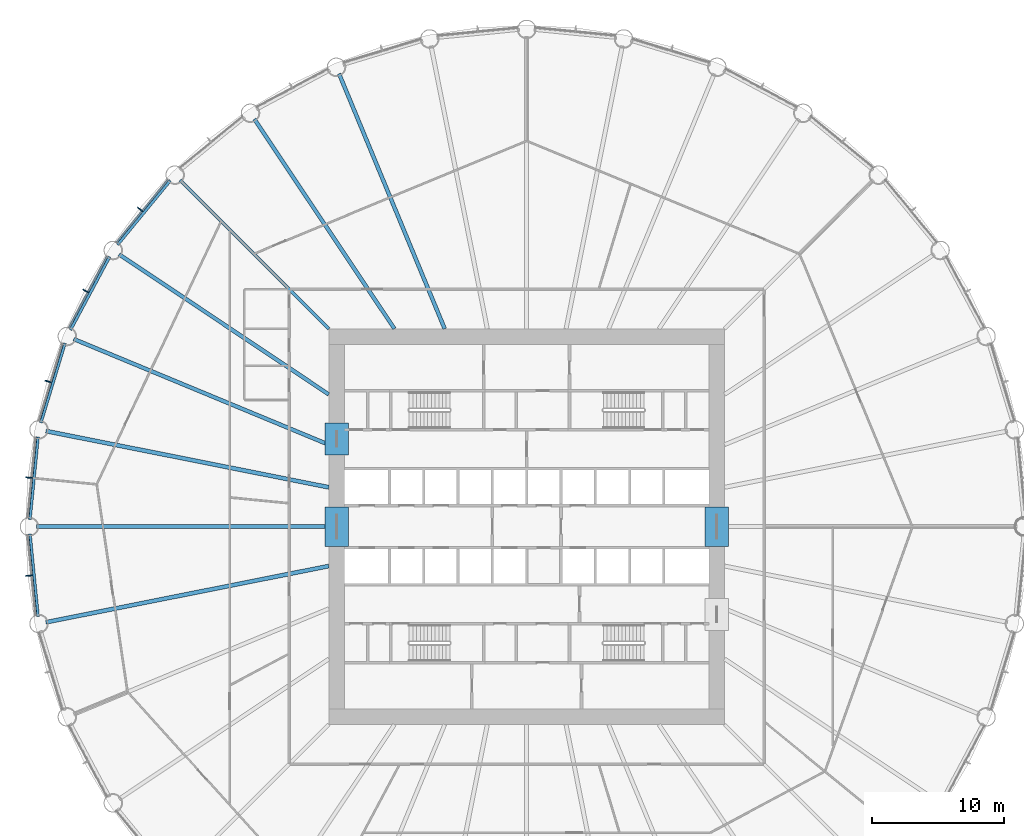
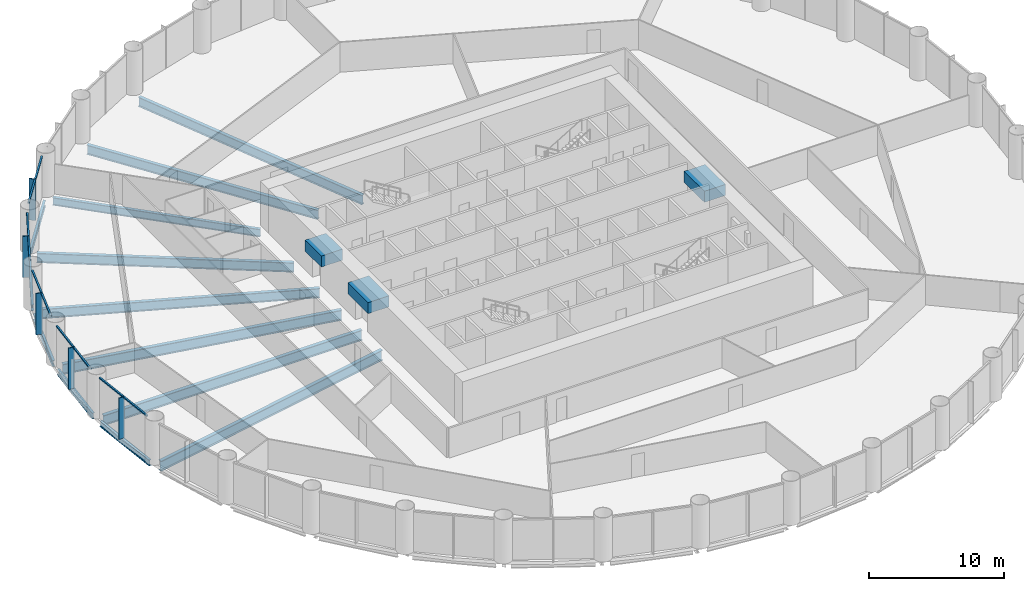
# One storey, part 4 of 15: 16 beams, 15 members, 5 elements without a shape of their own.
"""IFC4 building model written with IfcOpenShell, lengths in metres."""

from ifc_helpers import new_model, si_unit, direction, frame, origin, origin_2d, place, context, subcontext, project, spatial, rectangle, i_section, extrude, material, material_profile, profile_set, type_object, element, aggregate, save


model = new_model("IFC4")

# Units and contexts
model_context = context("Model", 3, precision=1e-05, world=origin(), true_north=direction((0.0, 1.0)))
body_context = subcontext(model_context, "Body", "Model", "MODEL_VIEW")
ifc_project = project(units=[si_unit("LENGTHUNIT", "METRE"), si_unit("AREAUNIT", "SQUARE_METRE"), si_unit("VOLUMEUNIT", "CUBIC_METRE"), si_unit("PLANEANGLEUNIT", "RADIAN"), si_unit("MASSUNIT", "GRAM", prefix="KILO")], contexts=[model_context])

# Site, building, storey
site_placement = place(None, origin())
site = spatial("IfcSite", under=ifc_project, at=site_placement, CompositionType="ELEMENT")
building_placement = place(site_placement, origin())
building = spatial("IfcBuilding", under=site, at=building_placement, Name="Corvane Civic Tower", CompositionType="ELEMENT")
storey_placement = place(building_placement, frame((0.0, 0.0, 61.0)))
storey = spatial("IfcBuildingStorey", under=building, at=storey_placement, Name="L13", CompositionType="ELEMENT", Elevation=61.0)

# Beams
ifc_material_1 = material(Name="Concrete C80/95", Category="concrete")
ifc_material_profile_1 = material_profile(ifc_material_1, rectangle(XDim=1.800048828125, YDim=1.0, at=origin_2d()), Name="COUPLING BEAM 1800X1000")
ifc_profile_set_1 = profile_set([ifc_material_profile_1], Name="Concrete C80/95")
beam_type_1 = type_object("IfcBeamType", Name="COUPLING BEAM COUPLING BEAM 1800X1000", PredefinedType="BEAM", material=ifc_profile_set_1)
for number, where, z_axis, x_axis, name in (
    (1, (-14.39990234375, -1.5, 2.60009765625), (0.0, 1.0, 0.0), (-1.0, 0.0, 0.0), "BM-L13-cpl-CW-LW"),
    (2, (14.39990234375, -1.5, 2.60009765625), (0.0, 1.0, 0.0), (-1.0, 0.0, 0.0), "BM-L13-cpl-CW-LE"),
):
    element("IfcBeam", number, at=place(storey_placement, frame(where, z_axis=z_axis, x_axis=x_axis)), inside=storey, type_object=beam_type_1, Name=name, PredefinedType="BEAM", context=body_context, shape_type="SweptSolid", body=[
        extrude(rectangle(XDim=1.800048828125, YDim=1.0, at=origin_2d()), origin(), (0.0, 0.0, 1.0), 3.0),
    ])
beam_1_placement = place(storey_placement, frame((-14.39990234375, 5.449951171875, 2.60009765625), z_axis=(0.0, 1.0, 0.0), x_axis=(-1.0, 0.0, 0.0)))
element("IfcBeam", 3, at=beam_1_placement, inside=storey, type_object=beam_type_1, Name="BM-L13-cpl-CW-WN", PredefinedType="BEAM", context=body_context, shape_type="SweptSolid", body=[
    extrude(rectangle(XDim=1.800048828125, YDim=1.0, at=origin_2d()), origin(), (0.0, 0.0, 1.0), 2.400146484375),
])
ifc_material_2 = material(Name="Steel ASTM A992 Gr 50", Category="steel")
ifc_material_profile_2 = material_profile(ifc_material_2, i_section(OverallWidth=0.209228515625, OverallDepth=0.533447265625, WebThickness=0.01025390625, FlangeThickness=0.015625, at=origin_2d()), Name="W21X62")
ifc_profile_set_2 = profile_set([ifc_material_profile_2], Name="Steel ASTM A992 Gr 50")
beam_type_2 = type_object("IfcBeamType", Name="EDGE BEAM W21X62", PredefinedType="BEAM", material=ifc_profile_set_2)
for number, where, z_axis, x_axis, name in (
    (4, (-37.029541015625, -6.8076171875, -0.566650390625), (-0.097997284622, 0.995186682089, 0.0), (-0.995186682089, -0.097997284622, 0.0), "BM-L13-E24"),
    (5, (-37.64599609375, 0.54736328125, -0.566650390625), (0.097997284622, 0.995186682089, 0.0), (-0.995186682089, 0.097997284622, 0.0), "BM-L13-E25"),
):
    element("IfcBeam", number, at=place(storey_placement, frame(where, z_axis=z_axis, x_axis=x_axis)), inside=storey, type_object=beam_type_2, Name=name, PredefinedType="BEAM", context=body_context, shape_type="SweptSolid", body=[
        extrude(i_section(OverallWidth=0.209228515625, OverallDepth=0.533447265625, WebThickness=0.01025390625, FlangeThickness=0.015625, at=origin_2d()), origin(), (0.0, 0.0, 1.0), 6.29052734375),
    ])
for number, where, z_axis, x_axis, name in (
    (6, (-36.81591796875, 7.88134765625, -0.566650390625), (0.290273452184, 0.956943740748, 0.0), (-0.956943740748, 0.290273452184, 0.0), "BM-L13-E26"),
    (7, (-34.571044921875, 14.912353515625, -0.566650390625), (0.471405897311, 0.881916367906, 0.0), (-0.881916367906, 0.471405897311, 0.0), "BM-L13-E27"),
):
    element("IfcBeam", number, at=place(storey_placement, frame(where, z_axis=z_axis, x_axis=x_axis)), inside=storey, type_object=beam_type_2, Name=name, PredefinedType="BEAM", context=body_context, shape_type="SweptSolid", body=[
        extrude(i_section(OverallWidth=0.209228515625, OverallDepth=0.533447265625, WebThickness=0.01025390625, FlangeThickness=0.015625, at=origin_2d()), origin(), (0.0, 0.0, 1.0), 6.290283203125),
    ])
beam_2_placement = place(storey_placement, frame((-30.99755859375, 21.3701171875, -0.566650390625), z_axis=(0.634386787141, 0.773015785286, 0.0), x_axis=(-0.773015785286, 0.634386787141, 0.0)))
element("IfcBeam", 8, at=beam_2_placement, inside=storey, type_object=beam_type_2, Name="BM-L13-E28", PredefinedType="BEAM", context=body_context, shape_type="SweptSolid", body=[
    extrude(i_section(OverallWidth=0.209228515625, OverallDepth=0.533447265625, WebThickness=0.01025390625, FlangeThickness=0.015625, at=origin_2d()), origin(), (0.0, 0.0, 1.0), 6.290771484375),
])
ifc_material_3 = material(Name="Steel ASTM A992 Gr 50", Category="steel")
ifc_material_profile_3 = material_profile(ifc_material_3, i_section(OverallWidth=0.256591796875, OverallDepth=0.693359375, WebThickness=0.014404296875, FlangeThickness=0.023681640625, at=origin_2d()), Name="W27X114")
ifc_profile_set_3 = profile_set([ifc_material_profile_3], Name="Steel ASTM A992 Gr 50")
beam_type_3 = type_object("IfcBeamType", Name="FLOOR GIRDER W27X114", PredefinedType="BEAM", material=ifc_profile_set_3)
beam_3_placement = place(storey_placement, frame((-15.0, 15.0, -0.646728515625), z_axis=(-0.707106781187, 0.707106781187, 0.0), x_axis=(-0.707106781187, -0.707106781187, 0.0)))
element("IfcBeam", 9, at=beam_3_placement, inside=storey, type_object=beam_type_3, Name="BM-L13-G29", PredefinedType="BEAM", context=body_context, shape_type="SweptSolid", body=[
    extrude(i_section(OverallWidth=0.256591796875, OverallDepth=0.693359375, WebThickness=0.014404296875, FlangeThickness=0.023681640625, at=origin_2d()), origin(), (0.0, 0.0, 1.0), 15.936767578125),
])
ifc_material_4 = material(Name="Steel ASTM A992 Gr 50", Category="steel")
ifc_material_profile_4 = material_profile(ifc_material_4, i_section(OverallWidth=0.2919921875, OverallDepth=0.8583984375, WebThickness=0.01708984375, FlangeThickness=0.031005859375, at=origin_2d()), Name="W33X169")
ifc_profile_set_4 = profile_set([ifc_material_profile_4], Name="Steel ASTM A992 Gr 50")
beam_type_4 = type_object("IfcBeamType", Name="FLOOR GIRDER W33X169", PredefinedType="BEAM", material=ifc_profile_set_4)
beam_4_placement = place(storey_placement, frame((-15.0, 6.213134765625, -0.729248046875), z_axis=(-0.923875834355, 0.382692360381, 0.0), x_axis=(-0.382692360381, -0.923875834355, 0.0)))
element("IfcBeam", 10, at=beam_4_placement, inside=storey, type_object=beam_type_4, Name="BM-L13-G27", PredefinedType="BEAM", context=body_context, shape_type="SweptSolid", body=[
    extrude(i_section(OverallWidth=0.2919921875, OverallDepth=0.8583984375, WebThickness=0.01708984375, FlangeThickness=0.031005859375, at=origin_2d()), origin(), (0.0, 0.0, 1.0), 20.9140625),
])
for number, where, z_axis, x_axis, name in (
    (11, (-15.0, 10.022705078125, -0.729248046875), (-0.831471985418, 0.555566681385, 0.0), (-0.555566681385, -0.831471985418, 0.0), "BM-L13-G28"),
    (12, (-10.022705078125, 15.0, -0.729248046875), (-0.555566681385, 0.831471985418, 0.0), (-0.831471985418, -0.555566681385, 0.0), "BM-L13-G30"),
):
    element("IfcBeam", number, at=place(storey_placement, frame(where, z_axis=z_axis, x_axis=x_axis)), inside=storey, type_object=beam_type_4, Name=name, PredefinedType="BEAM", context=body_context, shape_type="SweptSolid", body=[
        extrude(i_section(OverallWidth=0.2919921875, OverallDepth=0.8583984375, WebThickness=0.01708984375, FlangeThickness=0.031005859375, at=origin_2d()), origin(), (0.0, 0.0, 1.0), 19.109619140625),
    ])
beam_5_placement = place(storey_placement, frame((-6.213134765625, 15.0, -0.729248046875), z_axis=(-0.382692360381, 0.923875834355, 0.0), x_axis=(-0.923875834355, -0.382692360381, 0.0)))
element("IfcBeam", 13, at=beam_5_placement, inside=storey, type_object=beam_type_4, Name="BM-L13-G31", PredefinedType="BEAM", context=body_context, shape_type="SweptSolid", body=[
    extrude(i_section(OverallWidth=0.2919921875, OverallDepth=0.8583984375, WebThickness=0.01708984375, FlangeThickness=0.031005859375, at=origin_2d()), origin(), (0.0, 0.0, 1.0), 20.9140625),
])
ifc_material_5 = material(Name="Steel ASTM A992 Gr 50", Category="steel")
ifc_material_profile_5 = material_profile(ifc_material_5, i_section(OverallWidth=0.307373046875, OverallDepth=0.927001953125, WebThickness=0.01953125, FlangeThickness=0.031982421875, at=origin_2d()), Name="W36X194")
ifc_profile_set_5 = profile_set([ifc_material_profile_5], Name="Steel ASTM A992 Gr 50")
beam_type_5 = type_object("IfcBeamType", Name="FLOOR GIRDER W36X194", PredefinedType="BEAM", material=ifc_profile_set_5)
beam_6_placement = place(storey_placement, frame((-15.0, -2.983642578125, -0.763671875), z_axis=(-0.980785499679, -0.195089219638, 0.0), x_axis=(0.195089219638, -0.980785499679, 0.0)))
element("IfcBeam", 14, at=beam_6_placement, inside=storey, type_object=beam_type_5, Name="BM-L13-G24", PredefinedType="BEAM", context=body_context, shape_type="SweptSolid", body=[
    extrude(i_section(OverallWidth=0.307373046875, OverallDepth=0.927001953125, WebThickness=0.01953125, FlangeThickness=0.031982421875, at=origin_2d()), origin(), (0.0, 0.0, 1.0), 21.856201171875),
])
beam_7_placement = place(storey_placement, frame((-15.0, 0.0, -0.763671875), z_axis=(-1.0, 0.0, 0.0), x_axis=(0.0, -1.0, 0.0)))
element("IfcBeam", 15, at=beam_7_placement, inside=storey, type_object=beam_type_5, Name="BM-L13-G25", PredefinedType="BEAM", context=body_context, shape_type="SweptSolid", body=[
    extrude(i_section(OverallWidth=0.307373046875, OverallDepth=0.927001953125, WebThickness=0.01953125, FlangeThickness=0.031982421875, at=origin_2d()), origin(), (0.0, 0.0, 1.0), 22.14990234375),
])
beam_8_placement = place(storey_placement, frame((-15.0, 2.983642578125, -0.763671875), z_axis=(-0.980785499679, 0.195089219638, 0.0), x_axis=(-0.195089219638, -0.980785499679, 0.0)))
element("IfcBeam", 16, at=beam_8_placement, inside=storey, type_object=beam_type_5, Name="BM-L13-G26", PredefinedType="BEAM", context=body_context, shape_type="SweptSolid", body=[
    extrude(i_section(OverallWidth=0.307373046875, OverallDepth=0.927001953125, WebThickness=0.01953125, FlangeThickness=0.031982421875, at=origin_2d()), origin(), (0.0, 0.0, 1.0), 21.856201171875),
])

# Curtain wall, members
ifc_material_6 = material(Name="Anodised aluminium bronze", Category="aluminium")
curtain_wall_type = type_object("IfcCurtainWallType", Name="TOWER CW-T1 STICK CURTAIN WALL", PredefinedType="NOTDEFINED", material=ifc_material_6)
curtain_wall_1_placement = place(storey_placement, origin())
curtain_wall_1 = element("IfcCurtainWall", 17, at=curtain_wall_1_placement, inside=storey, type_object=curtain_wall_type, Name="Curtain wall CW-T1 L13 bay 24", PredefinedType="NOTDEFINED")
ifc_material_7 = material(Name="Anodised aluminium bronze", Category="aluminium")
ifc_material_profile_6 = material_profile(ifc_material_7, rectangle(XDim=0.139892578125, YDim=0.1201171875, at=origin_2d()), Name="TOWER CW-T1 TRANSOM 140x120")
ifc_profile_set_6 = profile_set([ifc_material_profile_6], Name="Anodised aluminium bronze")
member_type_1 = type_object("IfcMemberType", Name="TOWER CW-T1 TRANSOM 140x120", PredefinedType="USERDEFINED", material=ifc_profile_set_6)
member_1_placement = place(storey_placement, frame((-37.21728515625, -6.72900390625, 3.68994140625), z_axis=(-0.097944923917, 0.995191836722, 0.0), x_axis=(-0.995191836722, -0.097944923917, 0.0)))
member_1 = element("IfcMember", 18, at=member_1_placement, type_object=member_type_1, Name="Transom CW-T1 L13 24.1", ObjectType="TRANSOM", PredefinedType="USERDEFINED", context=body_context, shape_type="SweptSolid", body=[
    extrude(rectangle(XDim=0.139892578125, YDim=0.1201171875, at=origin_2d()), origin(), (0.0, 0.0, 1.0), 3.008544921875),
])
member_2_placement = place(storey_placement, frame((-37.52001953125, -3.6552734375, 3.68994140625), z_axis=(-0.097944923917, 0.995191836722, 0.0), x_axis=(-0.995191836722, -0.097944923917, 0.0)))
member_2 = element("IfcMember", 19, at=member_2_placement, type_object=member_type_1, Name="Transom CW-T1 L13 24.2", ObjectType="TRANSOM", PredefinedType="USERDEFINED", context=body_context, shape_type="SweptSolid", body=[
    extrude(rectangle(XDim=0.139892578125, YDim=0.1201171875, at=origin_2d()), origin(), (0.0, 0.0, 1.0), 3.008544921875),
])

curtain_wall_2_placement = place(storey_placement, origin())
curtain_wall_2 = element("IfcCurtainWall", 20, at=curtain_wall_2_placement, inside=storey, type_object=curtain_wall_type, Name="Curtain wall CW-T1 L13 bay 25", PredefinedType="NOTDEFINED")
member_3_placement = place(storey_placement, frame((-37.814697265625, 0.6611328125, 3.68994140625), z_axis=(0.097944923917, 0.995191836722, 0.0), x_axis=(-0.995191836722, 0.097944923917, 0.0)))
member_3 = element("IfcMember", 21, at=member_3_placement, type_object=member_type_1, Name="Transom CW-T1 L13 25.1", ObjectType="TRANSOM", PredefinedType="USERDEFINED", context=body_context, shape_type="SweptSolid", body=[
    extrude(rectangle(XDim=0.139892578125, YDim=0.1201171875, at=origin_2d()), origin(), (0.0, 0.0, 1.0), 3.008544921875),
])
member_4_placement = place(storey_placement, frame((-37.511962890625, 3.73486328125, 3.68994140625), z_axis=(0.097944923917, 0.995191836722, 0.0), x_axis=(-0.995191836722, 0.097944923917, 0.0)))
member_4 = element("IfcMember", 22, at=member_4_placement, type_object=member_type_1, Name="Transom CW-T1 L13 25.2", ObjectType="TRANSOM", PredefinedType="USERDEFINED", context=body_context, shape_type="SweptSolid", body=[
    extrude(rectangle(XDim=0.139892578125, YDim=0.1201171875, at=origin_2d()), origin(), (0.0, 0.0, 1.0), 3.008544921875),
])

curtain_wall_3_placement = place(storey_placement, origin())
curtain_wall_3 = element("IfcCurtainWall", 23, at=curtain_wall_3_placement, inside=storey, type_object=curtain_wall_type, Name="Curtain wall CW-T1 L13 bay 26", PredefinedType="NOTDEFINED")
member_5_placement = place(storey_placement, frame((-36.959228515625, 8.02587890625, 3.68994140625), z_axis=(0.290279914268, 0.956941780555, 0.0), x_axis=(-0.956941780555, 0.290279914268, 0.0)))
member_5 = element("IfcMember", 24, at=member_5_placement, type_object=member_type_1, Name="Transom CW-T1 L13 26.1", ObjectType="TRANSOM", PredefinedType="USERDEFINED", context=body_context, shape_type="SweptSolid", body=[
    extrude(rectangle(XDim=0.139892578125, YDim=0.1201171875, at=origin_2d()), origin(), (0.0, 0.0, 1.0), 3.008544921875),
])
member_6_placement = place(storey_placement, frame((-36.062744140625, 10.9814453125, 3.68994140625), z_axis=(0.290279914268, 0.956941780555, 0.0), x_axis=(-0.956941780555, 0.290279914268, 0.0)))
member_6 = element("IfcMember", 25, at=member_6_placement, type_object=member_type_1, Name="Transom CW-T1 L13 26.2", ObjectType="TRANSOM", PredefinedType="USERDEFINED", context=body_context, shape_type="SweptSolid", body=[
    extrude(rectangle(XDim=0.139892578125, YDim=0.1201171875, at=origin_2d()), origin(), (0.0, 0.0, 1.0), 3.008544921875),
])

curtain_wall_4_placement = place(storey_placement, origin())
curtain_wall_4 = element("IfcCurtainWall", 26, at=curtain_wall_4_placement, inside=storey, type_object=curtain_wall_type, Name="Curtain wall CW-T1 L13 bay 27", PredefinedType="NOTDEFINED")
member_7_placement = place(storey_placement, frame((-34.683349609375, 15.08203125, 3.68994140625), z_axis=(0.471392506424, 0.881923525532, 0.0), x_axis=(-0.881923525532, 0.471392506424, 0.0)))
member_7 = element("IfcMember", 27, at=member_7_placement, type_object=member_type_1, Name="Transom CW-T1 L13 27.1", ObjectType="TRANSOM", PredefinedType="USERDEFINED", context=body_context, shape_type="SweptSolid", body=[
    extrude(rectangle(XDim=0.139892578125, YDim=0.1201171875, at=origin_2d()), origin(), (0.0, 0.0, 1.0), 3.008544921875),
])
member_8_placement = place(storey_placement, frame((-33.2275390625, 17.805908203125, 3.68994140625), z_axis=(0.471392506424, 0.881923525532, 0.0), x_axis=(-0.881923525532, 0.471392506424, 0.0)))
member_8 = element("IfcMember", 28, at=member_8_placement, type_object=member_type_1, Name="Transom CW-T1 L13 27.2", ObjectType="TRANSOM", PredefinedType="USERDEFINED", context=body_context, shape_type="SweptSolid", body=[
    extrude(rectangle(XDim=0.139892578125, YDim=0.1201171875, at=origin_2d()), origin(), (0.0, 0.0, 1.0), 3.008544921875),
])

curtain_wall_5_placement = place(storey_placement, origin())
curtain_wall_5 = element("IfcCurtainWall", 29, at=curtain_wall_5_placement, inside=storey, type_object=curtain_wall_type, Name="Curtain wall CW-T1 L13 bay 28", PredefinedType="NOTDEFINED")
member_9_placement = place(storey_placement, frame((-31.074462890625, 21.55859375, 3.68994140625), z_axis=(0.634355161466, 0.773041738279, 0.0), x_axis=(-0.773041738279, 0.634355161466, 0.0)))
member_9 = element("IfcMember", 30, at=member_9_placement, type_object=member_type_1, Name="Transom CW-T1 L13 28.1", ObjectType="TRANSOM", PredefinedType="USERDEFINED", context=body_context, shape_type="SweptSolid", body=[
    extrude(rectangle(XDim=0.139892578125, YDim=0.1201171875, at=origin_2d()), origin(), (0.0, 0.0, 1.0), 3.008544921875),
])
member_10_placement = place(storey_placement, frame((-29.115234375, 23.946044921875, 3.68994140625), z_axis=(0.634403652865, 0.773001943873, 0.0), x_axis=(-0.773001943873, 0.634403652865, 0.0)))
member_10 = element("IfcMember", 31, at=member_10_placement, type_object=member_type_1, Name="Transom CW-T1 L13 28.2", ObjectType="TRANSOM", PredefinedType="USERDEFINED", context=body_context, shape_type="SweptSolid", body=[
    extrude(rectangle(XDim=0.139892578125, YDim=0.1201171875, at=origin_2d()), origin(), (0.0, 0.0, 1.0), 3.008544921875),
])

# Member
ifc_material_8 = material(Name="Anodised aluminium bronze", Category="aluminium")
ifc_material_profile_7 = material_profile(ifc_material_8, rectangle(XDim=0.080078125, YDim=0.5, at=origin_2d()), Name="TOWER FIN MULLION 80x500 BRONZE")
ifc_profile_set_7 = profile_set([ifc_material_profile_7], Name="Anodised aluminium bronze")
member_type_2 = type_object("IfcMemberType", Name="TOWER FIN MULLION 80x500 BRONZE", PredefinedType="MULLION", material=ifc_profile_set_7)
member_11_placement = place(storey_placement, frame((-37.715087890625, -3.714599609375, 0.0), z_axis=(0.0, 0.0, 1.0), x_axis=(-0.098006239521, 0.995185800248, 0.0)))
member_11 = element("IfcMember", 32, at=member_11_placement, type_object=member_type_2, Name="Fin mullion 24 L13", PredefinedType="MULLION", context=body_context, shape_type="SweptSolid", body=[
    extrude(rectangle(XDim=0.080078125, YDim=0.5, at=origin_2d()), origin(), (0.0, 0.0, 1.0), 3.75),
])

aggregate(curtain_wall_1, [member_11, member_1, member_2])

member_12_placement = place(storey_placement, frame((-37.715087890625, 3.714599609375, 0.0), z_axis=(0.0, 0.0, 1.0), x_axis=(0.098006239521, 0.995185800248, 0.0)))
member_12 = element("IfcMember", 33, at=member_12_placement, type_object=member_type_2, Name="Fin mullion 25 L13", PredefinedType="MULLION", context=body_context, shape_type="SweptSolid", body=[
    extrude(rectangle(XDim=0.080078125, YDim=0.5, at=origin_2d()), origin(), (0.0, 0.0, 1.0), 3.75),
])

aggregate(curtain_wall_2, [member_12, member_3, member_4])

member_13_placement = place(storey_placement, frame((-36.265625, 11.001220703125, 0.0), z_axis=(0.0, 0.0, 1.0), x_axis=(0.290278397654, 0.956942240606, 0.0)))
member_13 = element("IfcMember", 34, at=member_13_placement, type_object=member_type_2, Name="Fin mullion 26 L13", PredefinedType="MULLION", context=body_context, shape_type="SweptSolid", body=[
    extrude(rectangle(XDim=0.080078125, YDim=0.5, at=origin_2d()), origin(), (0.0, 0.0, 1.0), 3.75),
])

aggregate(curtain_wall_3, [member_13, member_5, member_6])

member_14_placement = place(storey_placement, frame((-33.422607421875, 17.86474609375, 0.0), z_axis=(0.0, 0.0, 1.0), x_axis=(0.471403725359, 0.881917528864, 0.0)))
member_14 = element("IfcMember", 35, at=member_14_placement, type_object=member_type_2, Name="Fin mullion 27 L13", PredefinedType="MULLION", context=body_context, shape_type="SweptSolid", body=[
    extrude(rectangle(XDim=0.080078125, YDim=0.5, at=origin_2d()), origin(), (0.0, 0.0, 1.0), 3.75),
])

aggregate(curtain_wall_4, [member_14, member_7, member_8])

member_15_placement = place(storey_placement, frame((-29.295166015625, 24.0419921875, 0.0), z_axis=(0.0, 0.0, 1.0), x_axis=(0.634397218569, 0.773007224463, 0.0)))
member_15 = element("IfcMember", 36, at=member_15_placement, type_object=member_type_2, Name="Fin mullion 28 L13", PredefinedType="MULLION", context=body_context, shape_type="SweptSolid", body=[
    extrude(rectangle(XDim=0.080078125, YDim=0.5, at=origin_2d()), origin(), (0.0, 0.0, 1.0), 3.75),
])

aggregate(curtain_wall_5, [member_15, member_9, member_10])

save(model, "model.ifc")
